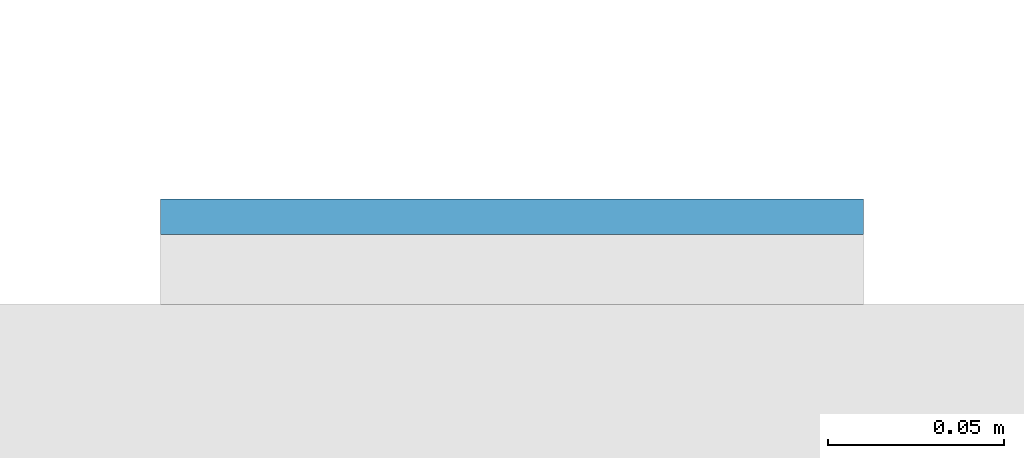
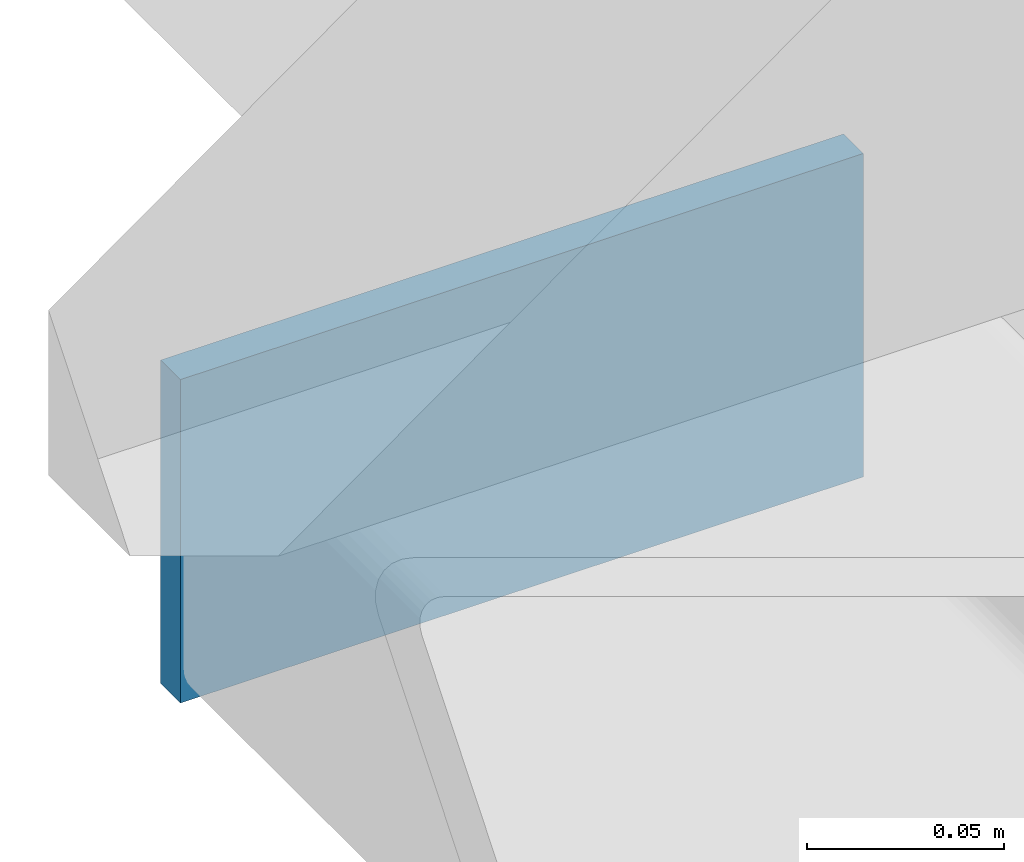
# One storey, part 9 of 20: 1 plate.
"""IFC4 building model written with IfcOpenShell, lengths in metres."""

from ifc_helpers import new_model, si_unit, direction, frame, origin, origin_2d, place, context, subcontext, project, spatial, rectangle, extrude, material, layer, layer_set, type_object, element, save


model = new_model("IFC4")

# Units and contexts
model_context = context("Model", 3, precision=1e-05, world=origin(), true_north=direction((0.0, 1.0)))
body_context = subcontext(model_context, "Body", "Model", "MODEL_VIEW")
ifc_project = project(units=[si_unit("LENGTHUNIT", "METRE"), si_unit("AREAUNIT", "SQUARE_METRE"), si_unit("VOLUMEUNIT", "CUBIC_METRE"), si_unit("PLANEANGLEUNIT", "RADIAN"), si_unit("MASSUNIT", "GRAM", prefix="KILO")], contexts=[model_context])

# Site, building, storey
site_placement = place(None, origin())
site = spatial("IfcSite", under=ifc_project, at=site_placement, CompositionType="ELEMENT")
building_placement = place(site_placement, origin())
building = spatial("IfcBuilding", under=site, at=building_placement, Name="Cleftline Residences", CompositionType="ELEMENT")
storey_placement = place(building_placement, frame((0.0, 0.0, 87.199951171875)))
storey = spatial("IfcBuildingStorey", under=building, at=storey_placement, Name="L22", CompositionType="ELEMENT", Elevation=87.199951171875)

# Plate
ifc_material = material(Name="Steel S355, hot-dip galvanised", Category="steel")
ifc_layer = layer(ifc_material, 0.010009765625)
ifc_layer_set = layer_set([ifc_layer], Name="BAGUETTE CARRIER END PLATE 200X100X10")
plate_type = type_object("IfcPlateType", Name="BAGUETTE CARRIER END PLATE 200X100X10", PredefinedType="USERDEFINED", material=ifc_layer_set)
plate_placement = place(storey_placement, frame((-0.85009765625, 44.304931640625, -0.10009765625), z_axis=(0.0, 0.0, 1.0), x_axis=(-1.0, 0.0, 0.0)))
element("IfcPlate", 1, at=plate_placement, inside=storey, type_object=plate_type, Name="Baguette carrier end plate", ObjectType="BAGUETTE CARRIER END PLATE", PredefinedType="USERDEFINED", context=body_context, shape_type="SweptSolid", body=[
    extrude(rectangle(XDim=0.199951171875, YDim=0.010009765625, at=origin_2d()), origin(), (0.0, 0.0, 1.0), 0.10009765625),
])

save(model, "model.ifc")
